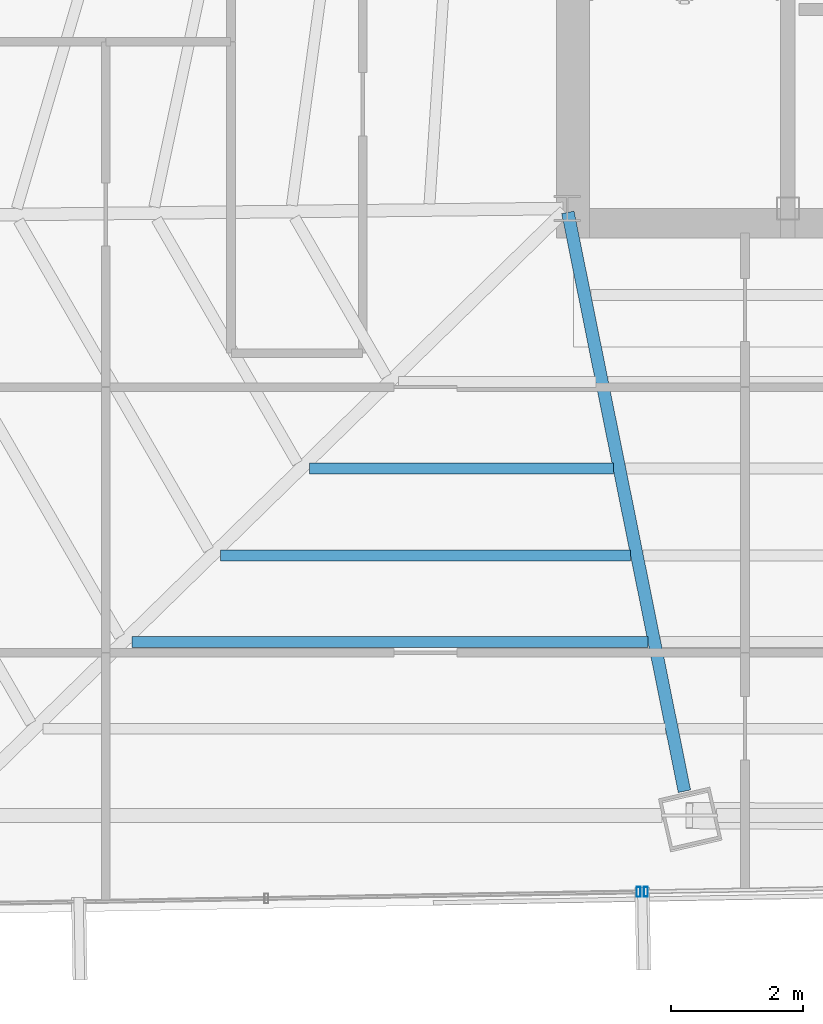
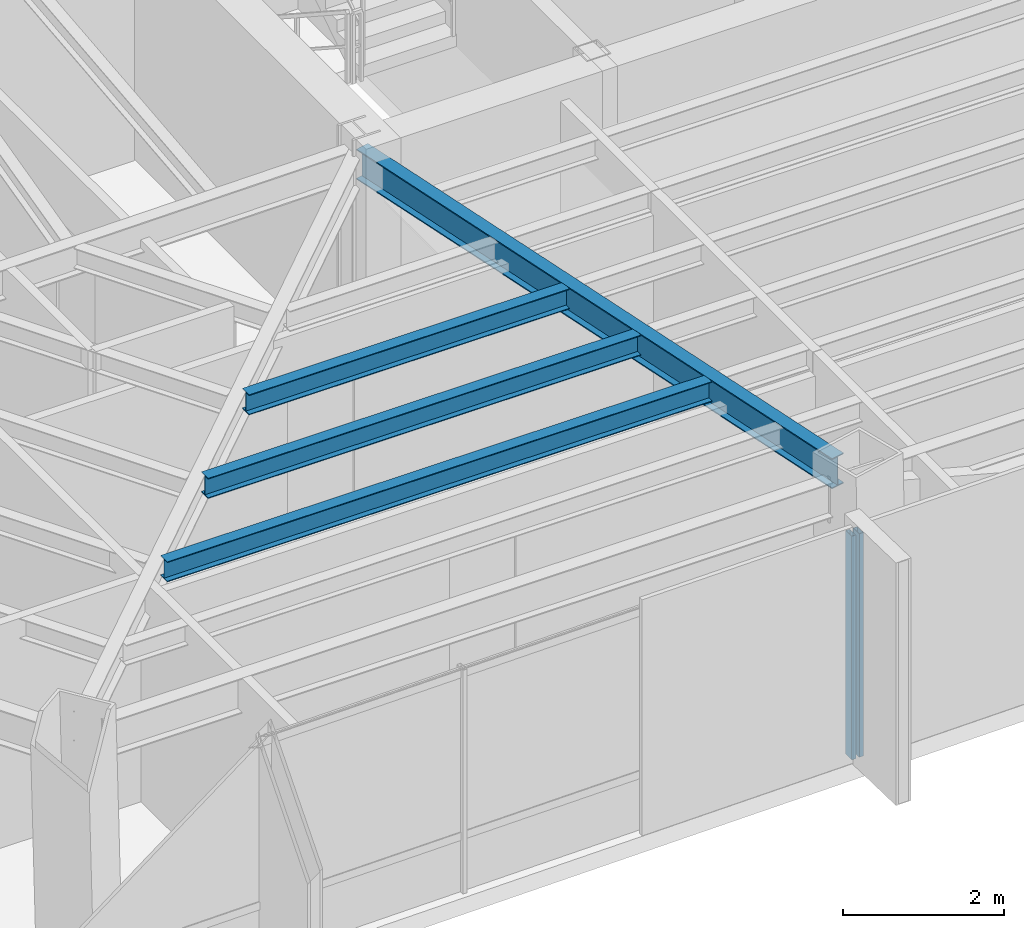
# One storey, part 12 of 42: 4 beams, 2 members, 2 elements without a shape of their own.
"""IFC4 building model written with IfcOpenShell, lengths in metres."""

from ifc_helpers import new_model, si_unit, direction, frame, origin, origin_2d, place, context, subcontext, project, spatial, hollow_rectangle, i_section, extrude, source, transform, mapped, material, material_profile, profile_set, type_object, type_shapes, element, aggregate, save


model = new_model("IFC4")

# Units and contexts
model_context = context("Model", 3, precision=1e-05, world=origin(), true_north=direction((0.0, 1.0)))
body_context = subcontext(model_context, "Body", "Model", "MODEL_VIEW")
ifc_project = project(units=[si_unit("LENGTHUNIT", "METRE"), si_unit("AREAUNIT", "SQUARE_METRE"), si_unit("VOLUMEUNIT", "CUBIC_METRE"), si_unit("PLANEANGLEUNIT", "RADIAN"), si_unit("MASSUNIT", "GRAM", prefix="KILO")], contexts=[model_context])

# Site, building, storey
site_placement = place(None, origin())
site = spatial("IfcSite", under=ifc_project, at=site_placement, CompositionType="ELEMENT")
building_placement = place(site_placement, origin())
building = spatial("IfcBuilding", under=site, at=building_placement, Name="Caelisora Broadcast Tower", CompositionType="ELEMENT")
storey_placement = place(building_placement, frame((0.0, 0.0, 195.0)))
storey = spatial("IfcBuildingStorey", under=building, at=storey_placement, Name="L51", CompositionType="ELEMENT", Elevation=195.0)

# Beams
ifc_material_1 = material(Name="Steel Grade 350 (AS/NZS 3679.1)", Category="steel")
ifc_material_profile_1 = material_profile(ifc_material_1, i_section(OverallWidth=0.19091796875, OverallDepth=0.46044921875, WebThickness=0.010009765625, FlangeThickness=0.01611328125, at=origin_2d()), Name="Steel Grade 350 (AS/NZS 3679.1)")
ifc_profile_set_1 = profile_set([ifc_material_profile_1], Name="Steel Grade 350 (AS/NZS 3679.1)")
beam_type_1 = type_object("IfcBeamType", Name="PG06", PredefinedType="BEAM", material=ifc_profile_set_1)
shared_shape_1 = source(origin(), body_context, "Body", "SweptSolid", [
    extrude(i_section(OverallWidth=0.19091796875, OverallDepth=0.46044921875, WebThickness=0.010009765625, FlangeThickness=0.01611328125, at=origin_2d()), origin(), (0.0, 0.0, 1.0), 8.9609375),
])
type_shapes(beam_type_1, [shared_shape_1])
beam_1_placement = place(storey_placement, frame((30.51171875, 17.34130859375, 3.169921875), z_axis=(0.197389143956, -0.980325214329, 0.0), x_axis=(0.980325214329, 0.197389143956, 0.0)))
element("IfcBeam", 1, at=beam_1_placement, inside=storey, type_object=beam_type_1, Name="L51 beam PG06", PredefinedType="BEAM", context=body_context, shape_type="MappedRepresentation", body=[
    mapped(shared_shape_1, transform((0.0, 0.0, 0.0), scale=1.0)),
])
ifc_material_profile_2 = material_profile(ifc_material_1, i_section(OverallWidth=0.166015625, OverallDepth=0.30712890625, WebThickness=0.006591796875, FlangeThickness=0.01171875, at=origin_2d()), Name="Steel Grade 350 (AS/NZS 3679.1)")
ifc_profile_set_2 = profile_set([ifc_material_profile_2], Name="Steel Grade 350 (AS/NZS 3679.1)")
beam_type_2 = type_object("IfcBeamType", Name="SB03", PredefinedType="JOIST", material=ifc_profile_set_2)
shared_shape_2 = source(origin(), body_context, "Body", "SweptSolid", [
    extrude(i_section(OverallWidth=0.166015625, OverallDepth=0.30712890625, WebThickness=0.006591796875, FlangeThickness=0.01171875, at=origin_2d()), origin(), (0.0, 0.0, 1.0), 4.61083984375),
])
beam_2_placement = place(storey_placement, frame((26.589599609375, 13.451904296875, 3.246337890625), z_axis=(1.0, 0.0, 0.0), x_axis=(0.0, 1.0, 0.0)))
element("IfcBeam", 2, at=beam_2_placement, inside=storey, type_object=beam_type_2, Name="L51 beam SB03", PredefinedType="JOIST", context=body_context, shape_type="MappedRepresentation", body=[
    mapped(shared_shape_2, transform((0.0, 0.0, 0.0), scale=1.0)),
])
shared_shape_3 = source(origin(), body_context, "Body", "SweptSolid", [
    extrude(i_section(OverallWidth=0.166015625, OverallDepth=0.30712890625, WebThickness=0.006591796875, FlangeThickness=0.01171875, at=origin_2d()), origin(), (0.0, 0.0, 1.0), 6.2236328125),
])
beam_3_placement = place(storey_placement, frame((25.24169921875, 12.135986328125, 3.246337890625), z_axis=(1.0, 0.0, 0.0), x_axis=(0.0, 1.0, 0.0)))
element("IfcBeam", 3, at=beam_3_placement, inside=storey, type_object=beam_type_2, Name="L51 beam SB03", PredefinedType="JOIST", context=body_context, shape_type="MappedRepresentation", body=[
    mapped(shared_shape_3, transform((0.0, 0.0, 0.0), scale=1.0)),
])
shared_shape_4 = source(origin(), body_context, "Body", "SweptSolid", [
    extrude(i_section(OverallWidth=0.166015625, OverallDepth=0.30712890625, WebThickness=0.006591796875, FlangeThickness=0.01171875, at=origin_2d()), origin(), (0.0, 0.0, 1.0), 7.836669921875),
])
type_shapes(beam_type_2, [shared_shape_2, shared_shape_3, shared_shape_4])
beam_4_placement = place(storey_placement, frame((23.8935546875, 10.820068359375, 3.246337890625), z_axis=(1.0, 0.0, 0.0), x_axis=(0.0, 1.0, 0.0)))
element("IfcBeam", 4, at=beam_4_placement, inside=storey, type_object=beam_type_2, Name="L51 beam SB03", PredefinedType="JOIST", context=body_context, shape_type="MappedRepresentation", body=[
    mapped(shared_shape_4, transform((0.0, 0.0, 0.0), scale=1.0)),
])

# Curtain wall, member
ifc_material_2 = material(Name="Unitised Aluminium Insulated Shadow-Box Spandrel Curtain Wall", Category="aluminium")
curtain_wall_type_1 = type_object("IfcCurtainWallType", Name="CW-SP2", PredefinedType="NOTDEFINED", material=ifc_material_2)
curtain_wall_1_placement = place(storey_placement, origin())
curtain_wall_1 = element("IfcCurtainWall", 5, at=curtain_wall_1_placement, inside=storey, type_object=curtain_wall_type_1, Name="L51 curtain wall CW-SP2", PredefinedType="NOTDEFINED")
ifc_material_3 = material(Name="Aluminium 6063-T6 Anodised Terracotta Bronze", Category="aluminium")
ifc_material_profile_3 = material_profile(ifc_material_3, hollow_rectangle(XDim=0.06005859375, YDim=0.14990234375, WallThickness=0.00341796875, at=origin_2d()), Name="Aluminium 6063-T6 Anodised Terracotta Bronze")
ifc_profile_set_3 = profile_set([ifc_material_profile_3], Name="Aluminium 6063-T6 Anodised Terracotta Bronze")
member_type = type_object("IfcMemberType", Name="CWM-03", PredefinedType="MULLION", material=ifc_profile_set_3)
shared_shape_5 = source(origin(), body_context, "Body", "SweptSolid", [
    extrude(hollow_rectangle(XDim=0.06005859375, YDim=0.14990234375, WallThickness=0.00341796875, at=origin_2d()), origin(), (0.0, 0.0, 1.0), 3.39990234375),
])
type_shapes(member_type, [shared_shape_5])
member_1_placement = place(storey_placement, frame((31.695068359375, 7.031005859375, 0.0), z_axis=(0.0, 0.0, 1.0), x_axis=(1.0, 0.0, 0.0)))
member_1 = element("IfcMember", 6, at=member_1_placement, type_object=member_type, Name="L51-CW-B06 mullion #3", PredefinedType="MULLION", context=body_context, shape_type="MappedRepresentation", body=[
    mapped(shared_shape_5, transform((0.0, 0.0, 0.0), scale=1.0)),
])
aggregate(curtain_wall_1, [member_1])

ifc_material_4 = material(Name="Unitised Aluminium and Low-E Glass Curtain Wall", Category="glass")
curtain_wall_type_2 = type_object("IfcCurtainWallType", Name="CW-Z4", PredefinedType="NOTDEFINED", material=ifc_material_4)
curtain_wall_2_placement = place(storey_placement, origin())
curtain_wall_2 = element("IfcCurtainWall", 7, at=curtain_wall_2_placement, inside=storey, type_object=curtain_wall_type_2, Name="L51 curtain wall CW-Z4", PredefinedType="NOTDEFINED")
member_2_placement = place(storey_placement, frame((31.585205078125, 7.029052734375, 0.0), z_axis=(0.0, 0.0, 1.0), x_axis=(1.0, 0.0, 0.0)))
member_2 = element("IfcMember", 8, at=member_2_placement, type_object=member_type, Name="L51-CW-B07 mullion #0", PredefinedType="MULLION", context=body_context, shape_type="MappedRepresentation", body=[
    mapped(shared_shape_5, transform((0.0, 0.0, 0.0), scale=1.0)),
])
aggregate(curtain_wall_2, [member_2])

save(model, "model.ifc")
